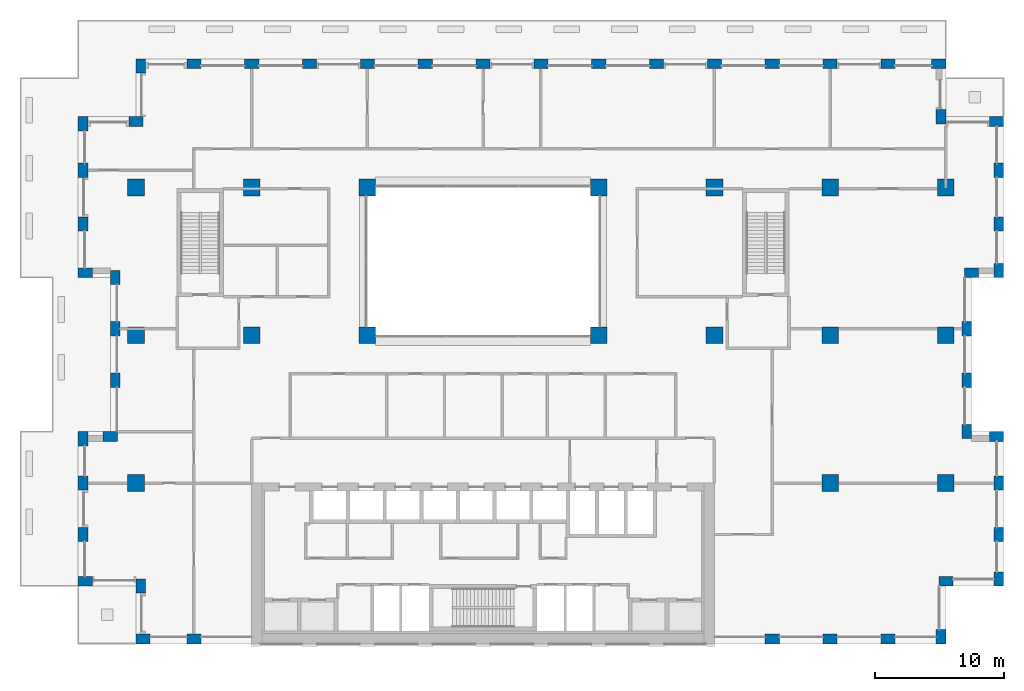
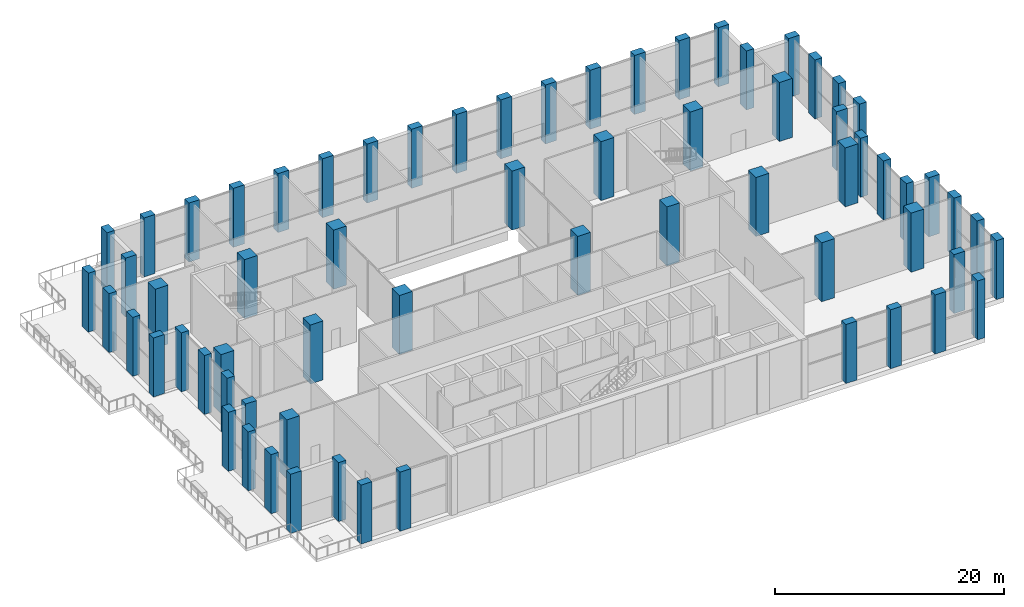
# One storey, part 1 of 21: 66 columns.
"""IFC4 building model written with IfcOpenShell, lengths in metres."""

from ifc_helpers import new_model, si_unit, direction, frame, origin, origin_2d, place, context, subcontext, project, spatial, rectangle, extrude, material, material_profile, profile_set, type_object, element, save


model = new_model("IFC4")

# Units and contexts
model_context = context("Model", 3, precision=1e-05, world=origin(), true_north=direction((0.0, 1.0)))
body_context = subcontext(model_context, "Body", "Model", "MODEL_VIEW")
ifc_project = project(units=[si_unit("LENGTHUNIT", "METRE"), si_unit("AREAUNIT", "SQUARE_METRE"), si_unit("VOLUMEUNIT", "CUBIC_METRE"), si_unit("PLANEANGLEUNIT", "RADIAN"), si_unit("MASSUNIT", "GRAM", prefix="KILO")], contexts=[model_context])

# Site, building, storey
site_placement = place(None, origin())
site = spatial("IfcSite", under=ifc_project, at=site_placement, CompositionType="ELEMENT")
building_placement = place(site_placement, origin())
building = spatial("IfcBuilding", under=site, at=building_placement, Name="Brigalow Station Residences", CompositionType="ELEMENT")
storey_placement = place(building_placement, frame((0.0, 0.0, 77.25)))
storey = spatial("IfcBuildingStorey", under=building, at=storey_placement, Name="L22", CompositionType="ELEMENT", Elevation=77.25)

# Columns
ifc_material_1 = material(Name="Concrete C65", Category="concrete")
ifc_material_profile_1 = material_profile(ifc_material_1, rectangle(XDim=1.300048828125, YDim=1.300048828125, at=origin_2d()), Name="RC1300x1300")
ifc_profile_set_1 = profile_set([ifc_material_profile_1], Name="Concrete C65")
column_type_1 = type_object("IfcColumnType", Name="COLUMN 1300x1300 C65", PredefinedType="COLUMN", material=ifc_profile_set_1)
for number, where, z_axis, x_axis, name in (
    (1, (9.0, 24.0, 0.0), (0.0, 0.0, 1.0), (1.0, 0.0, 0.0), "COLUMN C1 L22"),
    (2, (18.0, 24.0, 0.0), (0.0, 0.0, 1.0), (1.0, 0.0, 0.0), "COLUMN C2 L22"),
    (3, (27.0, 24.0, 0.0), (0.0, 0.0, 1.0), (1.0, 0.0, 0.0), "COLUMN C3 L22"),
    (4, (45.0, 24.0, 0.0), (0.0, 0.0, 1.0), (1.0, 0.0, 0.0), "COLUMN C5 L22"),
    (5, (54.0, 24.0, 0.0), (0.0, 0.0, 1.0), (1.0, 0.0, 0.0), "COLUMN C6 L22"),
    (6, (63.0, 24.0, 0.0), (0.0, 0.0, 1.0), (1.0, 0.0, 0.0), "COLUMN C7 L22"),
    (7, (72.0, 24.0, 0.0), (0.0, 0.0, 1.0), (1.0, 0.0, 0.0), "COLUMN C8 L22"),
    (8, (9.0, 35.5, 0.0), (0.0, 0.0, 1.0), (1.0, 0.0, 0.0), "COLUMN D1 L22"),
    (9, (18.0, 35.5, 0.0), (0.0, 0.0, 1.0), (1.0, 0.0, 0.0), "COLUMN D2 L22"),
    (10, (27.0, 35.5, 0.0), (0.0, 0.0, 1.0), (1.0, 0.0, 0.0), "COLUMN D3 L22"),
    (11, (45.0, 35.5, 0.0), (0.0, 0.0, 1.0), (1.0, 0.0, 0.0), "COLUMN D5 L22"),
    (12, (54.0, 35.5, 0.0), (0.0, 0.0, 1.0), (1.0, 0.0, 0.0), "COLUMN D6 L22"),
    (13, (63.0, 35.5, 0.0), (0.0, 0.0, 1.0), (1.0, 0.0, 0.0), "COLUMN D7 L22"),
    (14, (72.0, 35.5, 0.0), (0.0, 0.0, 1.0), (1.0, 0.0, 0.0), "COLUMN D8 L22"),
    (15, (9.0, 12.5, 0.0), (0.0, 0.0, 1.0), (1.0, 0.0, 0.0), "COLUMN B1 L22"),
    (16, (63.0, 12.5, 0.0), (0.0, 0.0, 1.0), (1.0, 0.0, 0.0), "COLUMN B7 L22"),
    (17, (72.0, 12.5, 0.0), (0.0, 0.0, 1.0), (1.0, 0.0, 0.0), "COLUMN B8 L22"),
):
    element("IfcColumn", number, at=place(storey_placement, frame(where, z_axis=z_axis, x_axis=x_axis)), inside=storey, type_object=column_type_1, Name=name, PredefinedType="COLUMN", context=body_context, shape_type="SweptSolid", body=[
        extrude(rectangle(XDim=1.300048828125, YDim=1.300048828125, at=origin_2d()), origin(), (0.0, 0.0, 1.0), 6.300048828125),
    ])
ifc_material_2 = material(Name="Concrete C65", Category="concrete")
ifc_material_profile_2 = material_profile(ifc_material_2, rectangle(XDim=1.10009765625, YDim=0.75, at=origin_2d()), Name="RC1100x750")
ifc_profile_set_2 = profile_set([ifc_material_profile_2], Name="Concrete C65")
column_type_2 = type_object("IfcColumnType", Name="PIER 1100x750 C65", PredefinedType="USERDEFINED", material=ifc_profile_set_2)
for number, where, z_axis, x_axis, name in (
    (18, (9.550048828125, 0.375, 0.0), (0.0, 0.0, 1.0), (1.0, 0.0, 0.0), "PIER S-1 L22"),
    (19, (13.5, 0.375, 0.0), (0.0, 0.0, 1.0), (1.0, 0.0, 0.0), "PIER S-2 L22"),
    (20, (58.5, 0.375, 0.0), (0.0, 0.0, 1.0), (1.0, 0.0, 0.0), "PIER S-12 L22"),
    (21, (63.0, 0.375, 0.0), (0.0, 0.0, 1.0), (1.0, 0.0, 0.0), "PIER S-13 L22"),
    (22, (67.5, 0.375, 0.0), (0.0, 0.0, 1.0), (1.0, 0.0, 0.0), "PIER S-14 L22"),
    (23, (71.625, 0.550048828125, 0.0), (0.0, 0.0, 1.0), (0.0, 1.0, 0.0), "PIER SE1-1 L22"),
    (24, (72.0, 4.875, 0.0), (0.0, 0.0, 1.0), (1.0, 0.0, 0.0), "PIER SE2-1 L22"),
    (25, (76.125, 5.050048828125, 0.0), (0.0, 0.0, 1.0), (0.0, 1.0, 0.0), "PIER E1-1 L22"),
    (26, (76.125, 8.5, 0.0), (0.0, 0.0, 1.0), (0.0, 1.0, 0.0), "PIER E1-2 L22"),
    (27, (76.125, 12.5, 0.0), (0.0, 0.0, 1.0), (0.0, 1.0, 0.0), "PIER E1-3 L22"),
    (28, (75.949951171875, 16.125, 0.0), (0.0, 0.0, 1.0), (-1.0, 0.0, 0.0), "PIER EL1-1 L22"),
    (29, (73.625, 16.5, 0.0), (0.0, 0.0, 1.0), (0.0, 1.0, 0.0), "PIER EL2-1 L22"),
    (30, (73.625, 20.5, 0.0), (0.0, 0.0, 1.0), (0.0, 1.0, 0.0), "PIER EL2-2 L22"),
    (31, (73.625, 24.5, 0.0), (0.0, 0.0, 1.0), (0.0, 1.0, 0.0), "PIER EL2-3 L22"),
    (32, (74.0, 28.875, 0.0), (0.0, 0.0, 1.0), (1.0, 0.0, 0.0), "PIER EL3-1 L22"),
    (33, (76.125, 29.050048828125, 0.0), (0.0, 0.0, 1.0), (0.0, 1.0, 0.0), "PIER E2-1 L22"),
    (34, (76.125, 32.6669921875, 0.0), (0.0, 0.0, 1.0), (0.0, 1.0, 0.0), "PIER E2-2 L22"),
    (35, (76.125, 36.8330078125, 0.0), (0.0, 0.0, 1.0), (0.0, 1.0, 0.0), "PIER E2-3 L22"),
    (36, (75.949951171875, 40.625, 0.0), (0.0, 0.0, 1.0), (-1.0, 0.0, 0.0), "PIER NE1-1 L22"),
    (37, (71.625, 41.0, 0.0), (0.0, 0.0, 1.0), (0.0, 1.0, 0.0), "PIER NE2-1 L22"),
    (38, (71.449951171875, 45.125, 0.0), (0.0, 0.0, 1.0), (-1.0, 0.0, 0.0), "PIER N-1 L22"),
    (39, (67.5, 45.125, 0.0), (0.0, 0.0, 1.0), (-1.0, 0.0, 0.0), "PIER N-2 L22"),
    (40, (63.0, 45.125, 0.0), (0.0, 0.0, 1.0), (-1.0, 0.0, 0.0), "PIER N-3 L22"),
    (41, (58.5, 45.125, 0.0), (0.0, 0.0, 1.0), (-1.0, 0.0, 0.0), "PIER N-4 L22"),
    (42, (54.0, 45.125, 0.0), (0.0, 0.0, 1.0), (-1.0, 0.0, 0.0), "PIER N-5 L22"),
    (43, (49.5, 45.125, 0.0), (0.0, 0.0, 1.0), (-1.0, 0.0, 0.0), "PIER N-6 L22"),
    (44, (45.0, 45.125, 0.0), (0.0, 0.0, 1.0), (-1.0, 0.0, 0.0), "PIER N-7 L22"),
    (45, (40.5, 45.125, 0.0), (0.0, 0.0, 1.0), (-1.0, 0.0, 0.0), "PIER N-8 L22"),
    (46, (36.0, 45.125, 0.0), (0.0, 0.0, 1.0), (-1.0, 0.0, 0.0), "PIER N-9 L22"),
    (47, (31.5, 45.125, 0.0), (0.0, 0.0, 1.0), (-1.0, 0.0, 0.0), "PIER N-10 L22"),
    (48, (27.0, 45.125, 0.0), (0.0, 0.0, 1.0), (-1.0, 0.0, 0.0), "PIER N-11 L22"),
    (49, (22.5, 45.125, 0.0), (0.0, 0.0, 1.0), (-1.0, 0.0, 0.0), "PIER N-12 L22"),
    (50, (18.0, 45.125, 0.0), (0.0, 0.0, 1.0), (-1.0, 0.0, 0.0), "PIER N-13 L22"),
    (51, (13.5, 45.125, 0.0), (0.0, 0.0, 1.0), (-1.0, 0.0, 0.0), "PIER N-14 L22"),
    (52, (9.375, 44.949951171875, 0.0), (0.0, 0.0, 1.0), (0.0, -1.0, 0.0), "PIER NW1-1 L22"),
    (53, (9.0, 40.625, 0.0), (0.0, 0.0, 1.0), (-1.0, 0.0, 0.0), "PIER NW2-1 L22"),
    (54, (4.875, 40.449951171875, 0.0), (0.0, 0.0, 1.0), (0.0, -1.0, 0.0), "PIER W2-1 L22"),
    (55, (4.875, 36.8330078125, 0.0), (0.0, 0.0, 1.0), (0.0, -1.0, 0.0), "PIER W2-2 L22"),
    (56, (4.875, 32.6669921875, 0.0), (0.0, 0.0, 1.0), (0.0, -1.0, 0.0), "PIER W2-3 L22"),
    (57, (5.050048828125, 28.875, 0.0), (0.0, 0.0, 1.0), (1.0, 0.0, 0.0), "PIER WL1-1 L22"),
    (58, (7.375, 28.5, 0.0), (0.0, 0.0, 1.0), (0.0, -1.0, 0.0), "PIER WL2-1 L22"),
    (59, (7.375, 24.5, 0.0), (0.0, 0.0, 1.0), (0.0, -1.0, 0.0), "PIER WL2-2 L22"),
    (60, (7.375, 20.5, 0.0), (0.0, 0.0, 1.0), (0.0, -1.0, 0.0), "PIER WL2-3 L22"),
    (61, (7.0, 16.125, 0.0), (0.0, 0.0, 1.0), (-1.0, 0.0, 0.0), "PIER WL3-1 L22"),
    (62, (4.875, 15.949951171875, 0.0), (0.0, 0.0, 1.0), (0.0, -1.0, 0.0), "PIER W1-1 L22"),
    (63, (4.875, 12.5, 0.0), (0.0, 0.0, 1.0), (0.0, -1.0, 0.0), "PIER W1-2 L22"),
    (64, (4.875, 8.5, 0.0), (0.0, 0.0, 1.0), (0.0, -1.0, 0.0), "PIER W1-3 L22"),
    (65, (5.050048828125, 4.875, 0.0), (0.0, 0.0, 1.0), (1.0, 0.0, 0.0), "PIER SW1-1 L22"),
    (66, (9.375, 4.5, 0.0), (0.0, 0.0, 1.0), (0.0, -1.0, 0.0), "PIER SW2-1 L22"),
):
    element("IfcColumn", number, at=place(storey_placement, frame(where, z_axis=z_axis, x_axis=x_axis)), inside=storey, type_object=column_type_2, Name=name, ObjectType="PIER", PredefinedType="USERDEFINED", context=body_context, shape_type="SweptSolid", body=[
        extrude(rectangle(XDim=1.10009765625, YDim=0.75, at=origin_2d()), origin(), (0.0, 0.0, 1.0), 6.300048828125),
    ])

save(model, "model.ifc")
